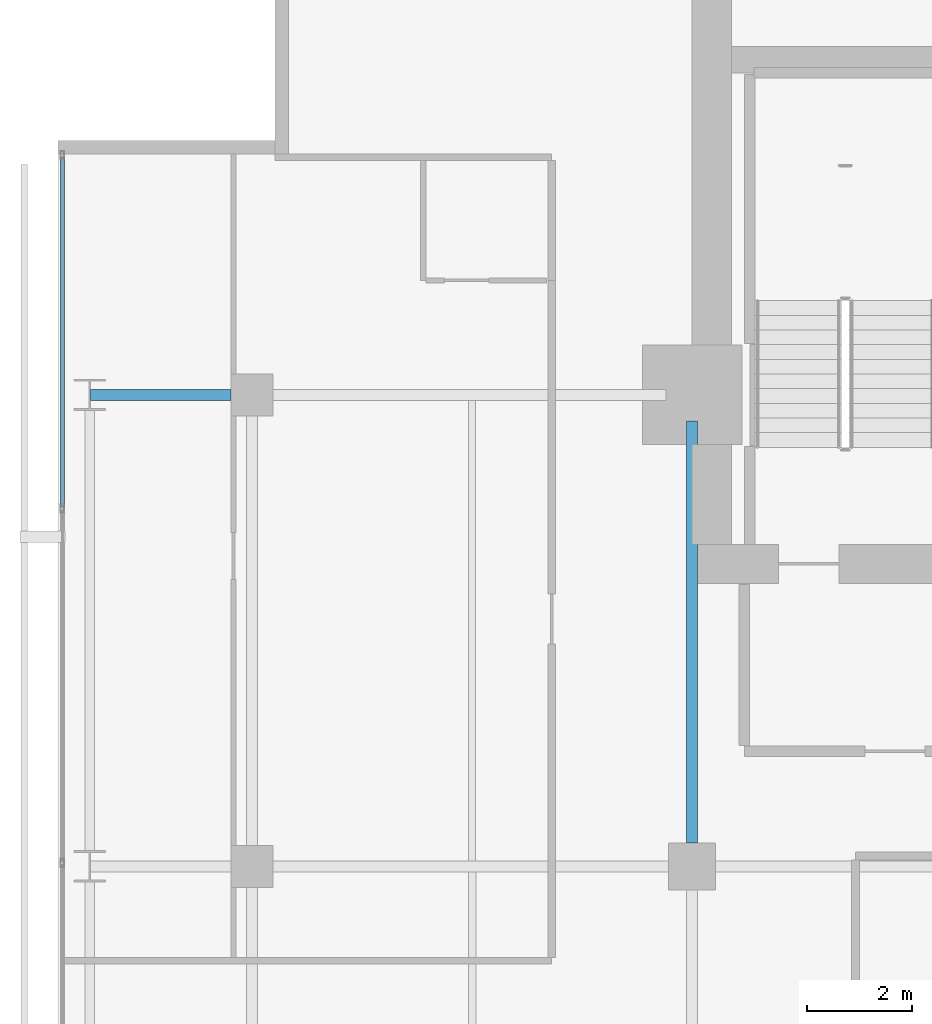
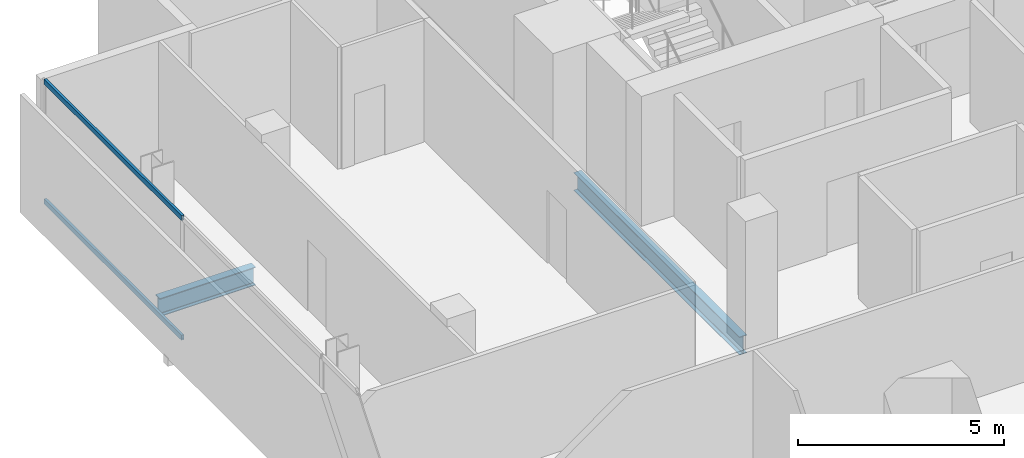
# One storey, part 19 of 32: 2 beams, 2 members, 1 element without a shape of its own.
"""IFC4 building model written with IfcOpenShell, lengths in metres."""

from ifc_helpers import new_model, si_unit, direction, frame, origin, origin_2d, place, context, subcontext, project, spatial, hollow_rectangle, i_section, extrude, material, layer, layer_set, material_profile, profile_set, type_object, element, aggregate, save


model = new_model("IFC4")

# Units and contexts
model_context = context("Model", 3, precision=1e-05, world=origin(), true_north=direction((0.0, 1.0)))
body_context = subcontext(model_context, "Body", "Model", "MODEL_VIEW")
ifc_project = project(units=[si_unit("LENGTHUNIT", "METRE"), si_unit("AREAUNIT", "SQUARE_METRE"), si_unit("VOLUMEUNIT", "CUBIC_METRE"), si_unit("PLANEANGLEUNIT", "RADIAN"), si_unit("MASSUNIT", "GRAM", prefix="KILO")], contexts=[model_context])

# Site, building, storey
site_placement = place(None, origin())
site = spatial("IfcSite", under=ifc_project, at=site_placement, CompositionType="ELEMENT")
building_placement = place(site_placement, origin())
building = spatial("IfcBuilding", under=site, at=building_placement, Name="Maruvema Waterfront Hotel and Observation Tower", CompositionType="ELEMENT")
storey_placement = place(building_placement, frame((0.0, 0.0, 219.800048828125)))
storey = spatial("IfcBuildingStorey", under=building, at=storey_placement, Name="L54", CompositionType="ELEMENT", Elevation=219.800048828125)

# Curtain wall, members
ifc_material_1 = material(Name="Anodised bronze aluminium and solar-control low-E IGU", Category="aluminium")
ifc_layer = layer(ifc_material_1, 0.159912109375, Name="Zone 2 Amber Inner Thermal Curtain Wall System CW-03")
ifc_layer_set = layer_set([ifc_layer], Name="Anodised bronze aluminium and solar-control low-E IGU")
curtain_wall_type = type_object("IfcCurtainWallType", Name="Zone 2 Amber Inner Thermal Curtain Wall System CW-03", PredefinedType="USERDEFINED", material=ifc_layer_set)
curtain_wall_placement = place(storey_placement, origin())
curtain_wall = element("IfcCurtainWall", 1, at=curtain_wall_placement, inside=storey, type_object=curtain_wall_type, Name="L54 Curtain Wall CW-L54-W", ObjectType="UNITISED CURTAIN WALL", PredefinedType="USERDEFINED")
ifc_material_2 = material(Name="Anodised architectural bronze aluminium", Category="aluminium")
ifc_material_profile_1 = material_profile(ifc_material_2, hollow_rectangle(XDim=0.070068359375, YDim=0.14990234375, WallThickness=0.00390625, at=origin_2d()), Name="ALU-T70x150")
ifc_profile_set_1 = profile_set([ifc_material_profile_1], Name="Anodised architectural bronze aluminium")
member_type = type_object("IfcMemberType", Name="Curtain Wall Horizontal Transom ALU-T70x150", PredefinedType="USERDEFINED", material=ifc_profile_set_1)
member_1_placement = place(storey_placement, frame((13.179931640625, 49.5400390625, 0.030029296875), z_axis=(0.0, -1.0, 0.0), x_axis=(1.0, 0.0, 0.0)))
member_1 = element("IfcMember", 2, at=member_1_placement, type_object=member_type, Name="CW-03 transom 1.1", ObjectType="TRANSOM", PredefinedType="USERDEFINED", context=body_context, shape_type="SweptSolid", body=[
    extrude(hollow_rectangle(XDim=0.070068359375, YDim=0.14990234375, WallThickness=0.00390625, at=origin_2d()), origin(), (0.0, 0.0, 1.0), 6.6767578125),
])
member_2_placement = place(storey_placement, frame((13.179931640625, 49.5400390625, 3.579833984375), z_axis=(0.0, -1.0, 0.0), x_axis=(1.0, 0.0, 0.0)))
member_2 = element("IfcMember", 3, at=member_2_placement, type_object=member_type, Name="CW-03 transom 1.2", ObjectType="TRANSOM", PredefinedType="USERDEFINED", context=body_context, shape_type="SweptSolid", body=[
    extrude(hollow_rectangle(XDim=0.070068359375, YDim=0.14990234375, WallThickness=0.00390625, at=origin_2d()), origin(), (0.0, 0.0, 1.0), 6.6767578125),
])
aggregate(curtain_wall, [member_1, member_2])

# Beams
ifc_material_3 = material(Name="Steel ASTM A572 Grade 50", Category="steel")
ifc_material_profile_2 = material_profile(ifc_material_3, i_section(OverallWidth=0.2109375, OverallDepth=0.5390625, WebThickness=0.01171875, FlangeThickness=0.018798828125, FilletRadius=0.014892578125, at=origin_2d()), Name="W530x109.0")
ifc_profile_set_2 = profile_set([ifc_material_profile_2], Name="Steel ASTM A572 Grade 50")
beam_type = type_object("IfcBeamType", Name="Primary Floor Girder W530x109.0", PredefinedType="BEAM", material=ifc_profile_set_2)
beam_1_placement = place(storey_placement, frame((13.71240234375, 45.0, -0.509521484375), z_axis=(1.0, 0.0, 0.0), x_axis=(0.0, 1.0, 0.0)))
element("IfcBeam", 4, at=beam_1_placement, inside=storey, type_object=beam_type, Name="L54 Floor Girder EW-30", PredefinedType="BEAM", context=body_context, shape_type="SweptSolid", body=[
    extrude(i_section(OverallWidth=0.2109375, OverallDepth=0.5390625, WebThickness=0.01171875, FlangeThickness=0.018798828125, FilletRadius=0.014892578125, at=origin_2d()), origin(), (0.0, 0.0, 1.0), 2.6875),
])
beam_2_placement = place(storey_placement, frame((25.199951171875, 36.449951171875, -0.509521484375), z_axis=(0.0, 1.0, 0.0), x_axis=(-1.0, 0.0, 0.0)))
element("IfcBeam", 5, at=beam_2_placement, inside=storey, type_object=beam_type, Name="L54 Floor Girder NS-13", PredefinedType="BEAM", context=body_context, shape_type="SweptSolid", body=[
    extrude(i_section(OverallWidth=0.2109375, OverallDepth=0.5390625, WebThickness=0.01171875, FlangeThickness=0.018798828125, FilletRadius=0.014892578125, at=origin_2d()), origin(), (0.0, 0.0, 1.0), 8.050048828125),
])

save(model, "model.ifc")
